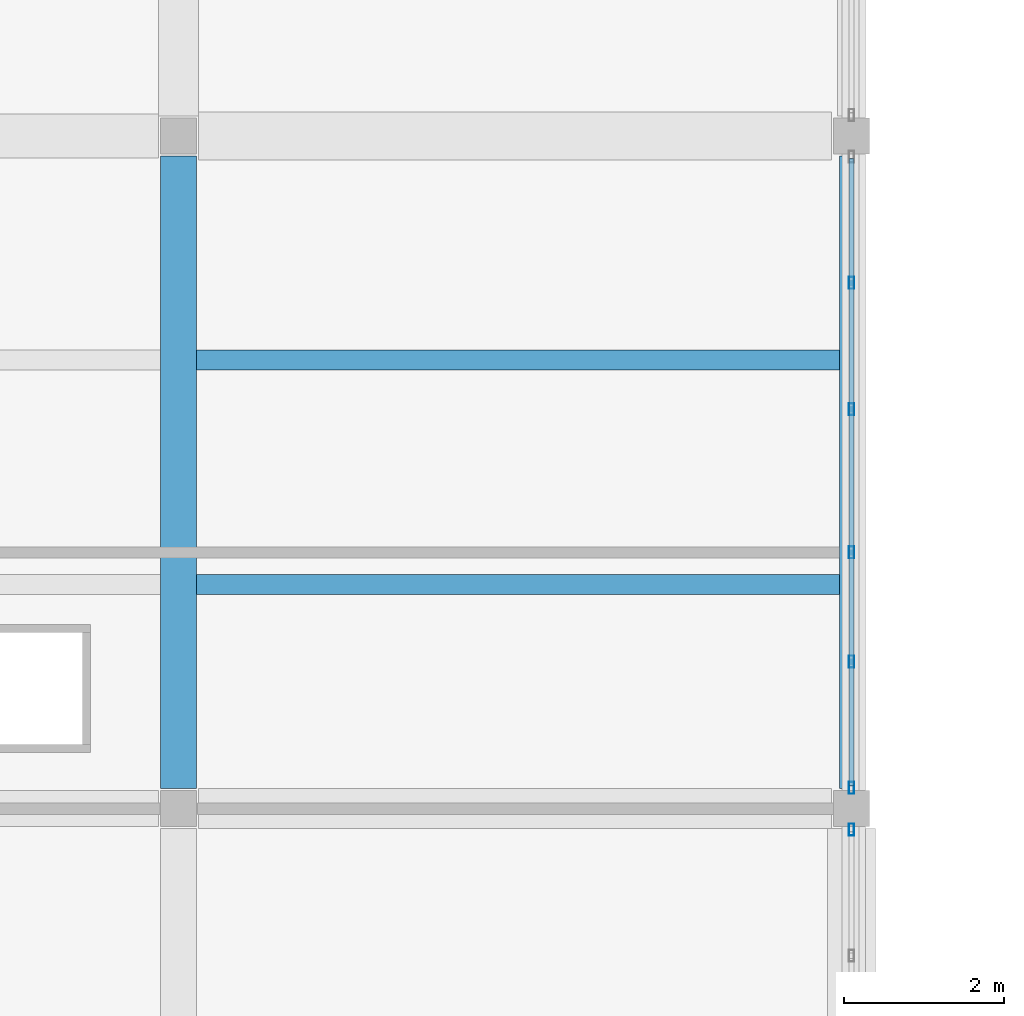
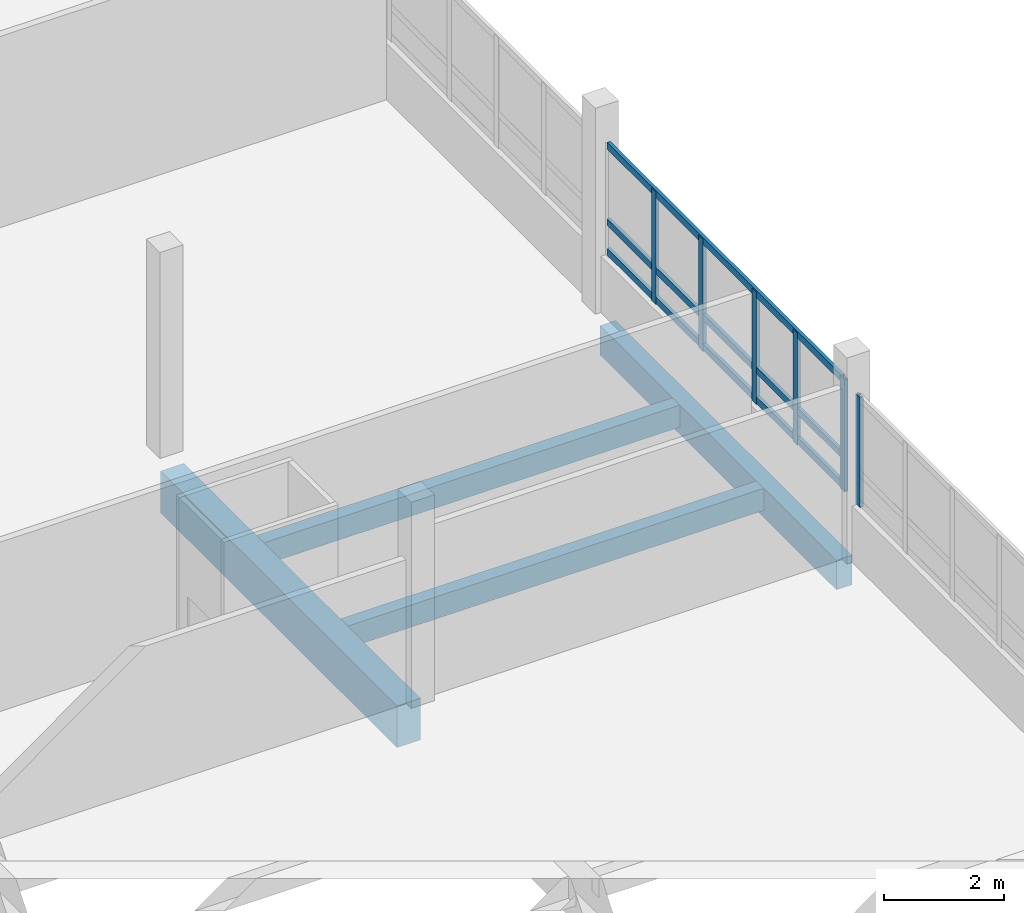
# One storey, part 9 of 62: 9 members, 4 beams, 2 elements without a shape of their own.
"""IFC4 building model written with IfcOpenShell, lengths in metres."""

import ifcopenshell
import ifcopenshell.guid

model = None  # the IFC model being written
_history = None  # IfcOwnerHistory: only IFC2X3 demands one
_inside = {}  # id of a spatial element -> (the spatial element, [elements in it])
_under = {}  # id of a project, library or spatial element -> (it, [spatial elements below it])
_declared = {}  # id of a project -> (the project, [libraries it declares])
_typed = {}  # id of a type object -> (the type object, [elements of that type])
_made_of = {}  # id of a material, layer set ... -> (it, [elements and type objects made of it])


def new_model(schema):
    """Start an empty IFC model of exactly this schema.

    Asked for "IFC4X3", IfcOpenShell would pick the latest addendum, in which some entities
    have other attributes; the version numbers below select the first issue.
    IFC2X3 requires an IfcOwnerHistory on every rooted entity: one is made here for all.
    """
    global model, _history
    if schema == "IFC4X3":
        model = ifcopenshell.file(schema_version=(4, 3, 0, 0))
    else:
        model = ifcopenshell.file(schema=schema)
    _inside.clear()
    _under.clear()
    _declared.clear()
    _typed.clear()
    _made_of.clear()
    _history = None
    if model.schema == "IFC2X3":
        org = make("IfcOrganization", Name="unknown")
        user = make(
            "IfcPersonAndOrganization",
            ThePerson=make("IfcPerson", FamilyName="unknown"),
            TheOrganization=org,
        )
        app = make(
            "IfcApplication",
            ApplicationDeveloper=org,
            Version="unknown",
            ApplicationFullName="unknown",
            ApplicationIdentifier="unknown",
        )
        _history = make(
            "IfcOwnerHistory",
            OwningUser=user,
            OwningApplication=app,
            ChangeAction="ADDED",
            CreationDate=0,
        )
    return model


def make(cls, **values):
    """One entity of the class cls with the attributes given. An attribute that is None is left unset."""
    return model.create_entity(
        cls, **{name: value for name, value in values.items() if value is not None}
    )


def rooted(cls, **values):
    """An entity with a GlobalId (a new one), such as an element, a storey or a relation."""
    return make(cls, GlobalId=ifcopenshell.guid.new(), OwnerHistory=_history, **values)


def si_unit(unit_type, name, prefix=None):
    """IfcSIUnit, for example si_unit("LENGTHUNIT", "METRE", prefix="MILLI")."""
    return make("IfcSIUnit", UnitType=unit_type, Prefix=prefix, Name=name)


def assignment(units):
    """IfcUnitAssignment: the units of a project."""
    return None if units is None else make("IfcUnitAssignment", Units=units)


def point(xyz):
    """IfcCartesianPoint."""
    return None if xyz is None else make("IfcCartesianPoint", Coordinates=xyz)


def direction(xyz):
    """IfcDirection."""
    return None if xyz is None else make("IfcDirection", DirectionRatios=xyz)


def frame(location, z_axis=None, x_axis=None):
    """IfcAxis2Placement3D, a coordinate frame: its origin and axes. An axis left out is left unset."""
    return make(
        "IfcAxis2Placement3D",
        Location=point(location),
        Axis=direction(z_axis),
        RefDirection=direction(x_axis),
    )


def frame_2d(location, x_axis=None):
    """IfcAxis2Placement2D, a coordinate frame in the plane: its origin and x axis."""
    return make(
        "IfcAxis2Placement2D", Location=point(location), RefDirection=direction(x_axis)
    )


def origin():
    """The frame at (0, 0, 0) with its axes left unset."""
    return frame((0.0, 0.0, 0.0))


def origin_2d():
    """The frame at (0, 0) in the plane with its x axis left unset."""
    return frame_2d((0.0, 0.0))


def place(relative_to, where):
    """IfcLocalPlacement: puts the frame where relative to a parent placement (None: the world)."""
    return make(
        "IfcLocalPlacement", PlacementRelTo=relative_to, RelativePlacement=where
    )


def context(
    kind, dimensions, precision=None, world=None, true_north=None, identifier=None
):
    """IfcGeometricRepresentationContext, for example the 3D "Model" context."""
    return make(
        "IfcGeometricRepresentationContext",
        ContextIdentifier=identifier,
        ContextType=kind,
        CoordinateSpaceDimension=dimensions,
        Precision=precision,
        WorldCoordinateSystem=world,
        TrueNorth=true_north,
    )


def subcontext(parent, identifier, kind, view, scale=None):
    """IfcGeometricRepresentationSubContext, for example "Body" below "Model"."""
    return make(
        "IfcGeometricRepresentationSubContext",
        ContextIdentifier=identifier,
        ContextType=kind,
        ParentContext=parent,
        TargetScale=scale,
        TargetView=view,
    )


def project(units=None, contexts=None):
    """IfcProject with its units and contexts."""
    return rooted(
        "IfcProject",
        Name="project",
        RepresentationContexts=contexts,
        UnitsInContext=assignment(units),
    )


def spatial(cls, under=None, at=None, **own):
    """A site, building, storey or space (cls), placed at a placement, below another one or the project."""
    s = rooted(cls, ObjectPlacement=at, **own)
    if under is not None:
        _under.setdefault(under.id(), (under, []))[1].append(s)
    return s


def profile(cls, at=None, kind="AREA", **sizes):
    """A parametric profile (cls). Its sizes go by their IFC names, for example OverallWidth=200.0."""
    return make(cls, ProfileType=kind, Position=at, **sizes)


def rectangle(**sizes):
    """IfcRectangleProfileDef."""
    return profile("IfcRectangleProfileDef", **sizes)


def hollow_rectangle(**sizes):
    """IfcRectangleHollowProfileDef."""
    return profile("IfcRectangleHollowProfileDef", **sizes)


def extrude(swept, where, along, depth):
    """IfcExtrudedAreaSolid: the profile swept, set in the frame where, extruded along a direction by depth."""
    return make(
        "IfcExtrudedAreaSolid",
        SweptArea=swept,
        Position=where,
        ExtrudedDirection=direction(along),
        Depth=depth,
    )


def shape(context_of_items, identifier, shape_type, items):
    """IfcShapeRepresentation: the items that make up one representation, for example the "Body"."""
    return make(
        "IfcShapeRepresentation",
        ContextOfItems=context_of_items,
        RepresentationIdentifier=identifier,
        RepresentationType=shape_type,
        Items=items,
    )


def material(Name=None, Category=None):
    """IfcMaterial."""
    return make("IfcMaterial", Name=Name, Category=Category)


def layer(
    of_material, thickness, ventilated=None, Name=None, Category=None, Priority=None
):
    """IfcMaterialLayer: one layer of a wall or slab, of a material (None: an air gap)."""
    return make(
        "IfcMaterialLayer",
        Material=of_material,
        LayerThickness=thickness,
        IsVentilated=ventilated,
        Name=Name,
        Category=Category,
        Priority=Priority,
    )


def layer_set(layers, Name=None):
    """IfcMaterialLayerSet."""
    return make("IfcMaterialLayerSet", MaterialLayers=layers, LayerSetName=Name)


def material_profile(
    of_material, cross_section, Name=None, Category=None, Priority=None
):
    """IfcMaterialProfile: a cross section and its material."""
    return make(
        "IfcMaterialProfile",
        Name=Name,
        Material=of_material,
        Profile=cross_section,
        Priority=Priority,
        Category=Category,
    )


def profile_set(profiles, Name=None, composite=None):
    """IfcMaterialProfileSet."""
    return make(
        "IfcMaterialProfileSet",
        Name=Name,
        MaterialProfiles=profiles,
        CompositeProfile=composite,
    )


def made_of(thing, what):
    """Note that an element or type object is made of a material, layer set ...; save() writes the relation."""
    if what is not None:
        _made_of.setdefault(what.id(), (what, []))[1].append(thing)
    return thing


def type_object(cls, material=None, **own):
    """A type object (cls), such as IfcWallType, which elements share."""
    return made_of(rooted(cls, **own), material)


def element(
    cls,
    number,
    at=None,
    inside=None,
    cuts=None,
    type_object=None,
    material=None,
    context=None,
    identifier="Body",
    shape_type=None,
    held_by="IfcProductDefinitionShape",
    body=None,
    shapes=None,
    **own,
):
    """One element of the class cls, such as IfcWall. Its Tag is "e" and its number.

    at: its placement. inside: the storey or other place that contains it. cuts: it is an
    opening in that element (IfcRelVoidsElement). A single representation is given by context,
    identifier, shape_type and body (its items); several are given by shapes. held_by: the class
    of the entity that holds the representations. save() writes the other relations.
    """
    e = rooted(cls, Tag="e%d" % number, ObjectPlacement=at, **own)
    if body is not None:
        shapes = [shape(context, identifier, shape_type, body)]
    if shapes is not None:
        e.Representation = make(held_by, Representations=shapes)
    if inside is not None:
        _inside.setdefault(inside.id(), (inside, []))[1].append(e)
    if cuts is not None:
        rooted(
            "IfcRelVoidsElement", RelatingBuildingElement=cuts, RelatedOpeningElement=e
        )
    if type_object is not None:
        _typed.setdefault(type_object.id(), (type_object, []))[1].append(e)
    return made_of(e, material)


def aggregate(whole, parts):
    """IfcRelAggregates: a whole, such as a stair, and the parts it consists of."""
    return rooted("IfcRelAggregates", RelatingObject=whole, RelatedObjects=parts)


def save(model, path):
    """Write the relations noted so far, then the file.

    IfcRelAggregates (storeys below a building ...), IfcRelContainedInSpatialStructure (elements
    in a storey), IfcRelDefinesByType, IfcRelAssociatesMaterial and IfcRelDeclares: one each for
    every whole, place, type object, material and project.
    """
    for whole, parts in _under.values():
        aggregate(whole, parts)
    for where, things in _inside.values():
        rooted(
            "IfcRelContainedInSpatialStructure",
            RelatedElements=things,
            RelatingStructure=where,
        )
    for kind, things in _typed.values():
        rooted("IfcRelDefinesByType", RelatedObjects=things, RelatingType=kind)
    for what, things in _made_of.values():
        rooted("IfcRelAssociatesMaterial", RelatedObjects=things, RelatingMaterial=what)
    for by, libraries in _declared.values():
        rooted("IfcRelDeclares", RelatingContext=by, RelatedDefinitions=libraries)
    model.write(path)


model = new_model("IFC4")

# Units and contexts
model_context = context("Model", 3, precision=1e-05, world=origin(), true_north=direction((0.0, 1.0)))
body_context = subcontext(model_context, "Body", "Model", "MODEL_VIEW")
ifc_project = project(units=[si_unit("LENGTHUNIT", "METRE"), si_unit("AREAUNIT", "SQUARE_METRE"), si_unit("VOLUMEUNIT", "CUBIC_METRE"), si_unit("PLANEANGLEUNIT", "RADIAN"), si_unit("MASSUNIT", "GRAM", prefix="KILO")], contexts=[model_context])

# Site, building, storey
site_placement = place(None, origin())
site = spatial("IfcSite", under=ifc_project, at=site_placement, CompositionType="ELEMENT")
building_placement = place(site_placement, origin())
building = spatial("IfcBuilding", under=site, at=building_placement, Name="Vireocrest Preparatory School", CompositionType="ELEMENT")
storey_placement = place(building_placement, frame((0.0, 0.0, 17.39990234375)))
storey = spatial("IfcBuildingStorey", under=building, at=storey_placement, Name="L04", CompositionType="ELEMENT", Elevation=17.39990234375)

# Curtain wall, member
ifc_material_1 = material(Name="Thermally broken aluminium EN AW-6063-T6", Category="aluminium")
ifc_layer = layer(ifc_material_1, 0.179931640625)
ifc_layer_set = layer_set([ifc_layer], Name="Thermally broken aluminium EN AW-6063-T6")
curtain_wall_type = type_object("IfcCurtainWallType", Name="Court Banded Curtain Wall 8400x3000", PredefinedType="USERDEFINED", material=ifc_layer_set)
curtain_wall_1_placement = place(storey_placement, origin())
curtain_wall_1 = element("IfcCurtainWall", 1, at=curtain_wall_1_placement, inside=storey, type_object=curtain_wall_type, Name="Curtain Wall CW02 CW_L04_CW02_0672_0524_186", ObjectType="CURTAIN WALL", PredefinedType="USERDEFINED")
ifc_material_profile_1 = material_profile(ifc_material_1, hollow_rectangle(XDim=0.06494140625, YDim=0.14990234375, WallThickness=0.00390625, at=origin_2d()), Name="ALU 65x150x4")
ifc_profile_set_1 = profile_set([ifc_material_profile_1], Name="Thermally broken aluminium EN AW-6063-T6")
member_type_1 = type_object("IfcMemberType", Name="CW Mullion 65x150x4", PredefinedType="MULLION", material=ifc_profile_set_1)
member_1_placement = place(storey_placement, frame((67.199951171875, 60.340087890625, 1.150146484375), z_axis=(0.0, 0.0, 1.0), x_axis=(1.0, 0.0, 0.0)))
member_1 = element("IfcMember", 2, at=member_1_placement, type_object=member_type_1, Name="CW Mullion ML1 CW_L04_CW02_0672_0524_186-6", PredefinedType="MULLION", context=body_context, shape_type="SweptSolid", body=[
    extrude(hollow_rectangle(XDim=0.06494140625, YDim=0.14990234375, WallThickness=0.00390625, at=origin_2d()), origin(), (0.0, 0.0, 1.0), 2.244873046875),
])
aggregate(curtain_wall_1, [member_1])

# Curtain wall, members
curtain_wall_2_placement = place(storey_placement, origin())
curtain_wall_2 = element("IfcCurtainWall", 3, at=curtain_wall_2_placement, inside=storey, type_object=curtain_wall_type, Name="Curtain Wall CW02 CW_L04_CW02_0672_0608_186", ObjectType="CURTAIN WALL", PredefinedType="USERDEFINED")
member_2_placement = place(storey_placement, frame((67.199951171875, 60.860107421875, 1.150146484375), z_axis=(0.0, 0.0, 1.0), x_axis=(1.0, 0.0, 0.0)))
member_2 = element("IfcMember", 4, at=member_2_placement, type_object=member_type_1, Name="CW Mullion ML1 CW_L04_CW02_0672_0608_186-1", PredefinedType="MULLION", context=body_context, shape_type="SweptSolid", body=[
    extrude(hollow_rectangle(XDim=0.06494140625, YDim=0.14990234375, WallThickness=0.00390625, at=origin_2d()), origin(), (0.0, 0.0, 1.0), 2.294921875),
])
member_3_placement = place(storey_placement, frame((67.199951171875, 62.43603515625, 1.150146484375), z_axis=(0.0, 0.0, 1.0), x_axis=(1.0, 0.0, 0.0)))
member_3 = element("IfcMember", 5, at=member_3_placement, type_object=member_type_1, Name="CW Mullion ML1 CW_L04_CW02_0672_0608_186-2", PredefinedType="MULLION", context=body_context, shape_type="SweptSolid", body=[
    extrude(hollow_rectangle(XDim=0.06494140625, YDim=0.14990234375, WallThickness=0.00390625, at=origin_2d()), origin(), (0.0, 0.0, 1.0), 2.294921875),
])
member_4_placement = place(storey_placement, frame((67.199951171875, 63.800048828125, 1.150146484375), z_axis=(0.0, 0.0, 1.0), x_axis=(1.0, 0.0, 0.0)))
member_4 = element("IfcMember", 6, at=member_4_placement, type_object=member_type_1, Name="CW Mullion ML1 CW_L04_CW02_0672_0608_186-3", PredefinedType="MULLION", context=body_context, shape_type="SweptSolid", body=[
    extrude(hollow_rectangle(XDim=0.06494140625, YDim=0.14990234375, WallThickness=0.00390625, at=origin_2d()), origin(), (0.0, 0.0, 1.0), 2.294921875),
])
member_5_placement = place(storey_placement, frame((67.199951171875, 65.587890625, 1.150146484375), z_axis=(0.0, 0.0, 1.0), x_axis=(1.0, 0.0, 0.0)))
member_5 = element("IfcMember", 7, at=member_5_placement, type_object=member_type_1, Name="CW Mullion ML1 CW_L04_CW02_0672_0608_186-4", PredefinedType="MULLION", context=body_context, shape_type="SweptSolid", body=[
    extrude(hollow_rectangle(XDim=0.06494140625, YDim=0.14990234375, WallThickness=0.00390625, at=origin_2d()), origin(), (0.0, 0.0, 1.0), 2.294921875),
])
member_6_placement = place(storey_placement, frame((67.199951171875, 67.1640625, 1.150146484375), z_axis=(0.0, 0.0, 1.0), x_axis=(1.0, 0.0, 0.0)))
member_6 = element("IfcMember", 8, at=member_6_placement, type_object=member_type_1, Name="CW Mullion ML1 CW_L04_CW02_0672_0608_186-5", PredefinedType="MULLION", context=body_context, shape_type="SweptSolid", body=[
    extrude(hollow_rectangle(XDim=0.06494140625, YDim=0.14990234375, WallThickness=0.00390625, at=origin_2d()), origin(), (0.0, 0.0, 1.0), 2.294921875),
])
ifc_material_profile_2 = material_profile(ifc_material_1, hollow_rectangle(XDim=0.06494140625, YDim=0.139892578125, WallThickness=0.00390625, at=origin_2d()), Name="ALU 65x140x4")
ifc_profile_set_2 = profile_set([ifc_material_profile_2], Name="Thermally broken aluminium EN AW-6063-T6")
member_type_2 = type_object("IfcMemberType", Name="CW Transom 65x140x4", PredefinedType="USERDEFINED", material=ifc_profile_set_2)
member_7_placement = place(storey_placement, frame((67.199951171875, 60.885009765625, 1.2451171875), z_axis=(0.0, 1.0, 0.0), x_axis=(-1.0, 0.0, 0.0)))
member_7 = element("IfcMember", 9, at=member_7_placement, type_object=member_type_2, Name="CW Transom TR1 CW_L04_CW02_0672_0608_186-1", ObjectType="TRANSOM", PredefinedType="USERDEFINED", context=body_context, shape_type="SweptSolid", body=[
    extrude(hollow_rectangle(XDim=0.06494140625, YDim=0.139892578125, WallThickness=0.00390625, at=origin_2d()), origin(), (0.0, 0.0, 1.0), 7.830078125),
])
member_8_placement = place(storey_placement, frame((67.199951171875, 60.885009765625, 1.85009765625), z_axis=(0.0, 1.0, 0.0), x_axis=(-1.0, 0.0, 0.0)))
member_8 = element("IfcMember", 10, at=member_8_placement, type_object=member_type_2, Name="CW Transom TR1 CW_L04_CW02_0672_0608_186-2", ObjectType="TRANSOM", PredefinedType="USERDEFINED", context=body_context, shape_type="SweptSolid", body=[
    extrude(hollow_rectangle(XDim=0.06494140625, YDim=0.139892578125, WallThickness=0.00390625, at=origin_2d()), origin(), (0.0, 0.0, 1.0), 7.830078125),
])
member_9_placement = place(storey_placement, frame((67.199951171875, 60.885009765625, 3.405029296875), z_axis=(0.0, 1.0, 0.0), x_axis=(-1.0, 0.0, 0.0)))
member_9 = element("IfcMember", 11, at=member_9_placement, type_object=member_type_2, Name="CW Transom TR1 CW_L04_CW02_0672_0608_186-3", ObjectType="TRANSOM", PredefinedType="USERDEFINED", context=body_context, shape_type="SweptSolid", body=[
    extrude(hollow_rectangle(XDim=0.06494140625, YDim=0.139892578125, WallThickness=0.00390625, at=origin_2d()), origin(), (0.0, 0.0, 1.0), 7.830078125),
])
aggregate(curtain_wall_2, [member_2, member_3, member_4, member_5, member_6, member_7, member_8, member_9])

# Beams
ifc_material_2 = material(Name="Concrete 40 MPa", Category="concrete")
ifc_material_profile_3 = material_profile(ifc_material_2, rectangle(XDim=0.300048828125, YDim=0.60009765625, at=origin_2d()), Name="RC 300x600")
ifc_profile_set_3 = profile_set([ifc_material_profile_3], Name="Concrete 40 MPa")
beam_type_1 = type_object("IfcBeamType", Name="RC Classroom Beam 300x600", PredefinedType="BEAM", material=ifc_profile_set_3)
beam_1_placement = place(storey_placement, frame((67.199951171875, 60.85009765625, -0.539794921875), z_axis=(0.0, 1.0, 0.0), x_axis=(-1.0, 0.0, 0.0)))
element("IfcBeam", 12, at=beam_1_placement, inside=storey, type_object=beam_type_1, Name="Primary Girder B03 L04-1382", PredefinedType="BEAM", context=body_context, shape_type="SweptSolid", body=[
    extrude(rectangle(XDim=0.300048828125, YDim=0.60009765625, at=origin_2d()), origin(), (0.0, 0.0, 1.0), 7.89990234375),
])
ifc_material_profile_4 = material_profile(ifc_material_2, rectangle(XDim=0.449951171875, YDim=0.85009765625, at=origin_2d()), Name="RC 450x850")
ifc_profile_set_4 = profile_set([ifc_material_profile_4], Name="Concrete 40 MPa")
beam_type_2 = type_object("IfcBeamType", Name="RC Heavy Floor Girder 450x850", PredefinedType="BEAM", material=ifc_profile_set_4)
beam_2_placement = place(storey_placement, frame((58.800048828125, 60.85009765625, -0.664794921875), z_axis=(0.0, 1.0, 0.0), x_axis=(-1.0, 0.0, 0.0)))
element("IfcBeam", 13, at=beam_2_placement, inside=storey, type_object=beam_type_2, Name="Primary Girder B13 L04-1374", PredefinedType="BEAM", context=body_context, shape_type="SweptSolid", body=[
    extrude(rectangle(XDim=0.449951171875, YDim=0.85009765625, at=origin_2d()), origin(), (0.0, 0.0, 1.0), 7.89990234375),
])
ifc_material_profile_5 = material_profile(ifc_material_2, rectangle(XDim=0.25, YDim=0.449951171875, at=origin_2d()), Name="RC 250x450")
ifc_profile_set_5 = profile_set([ifc_material_profile_5], Name="Concrete 40 MPa")
beam_type_3 = type_object("IfcBeamType", Name="RC Secondary Floor Joist 250x450", PredefinedType="JOIST", material=ifc_profile_set_5)
for number, where, z_axis, x_axis, name in (
    (14, (59.02490234375, 63.39990234375, -0.46484375), (1.0, 0.0, 0.0), (0.0, 1.0, 0.0), "Secondary Joist J01 L04-1459"),
    (15, (59.02490234375, 66.199951171875, -0.46484375), (1.0, 0.0, 0.0), (0.0, 1.0, 0.0), "Secondary Joist J01 L04-1460"),
):
    element("IfcBeam", number, at=place(storey_placement, frame(where, z_axis=z_axis, x_axis=x_axis)), inside=storey, type_object=beam_type_3, Name=name, PredefinedType="JOIST", context=body_context, shape_type="SweptSolid", body=[
        extrude(rectangle(XDim=0.25, YDim=0.449951171875, at=origin_2d()), origin(), (0.0, 0.0, 1.0), 8.025146484375),
    ])

save(model, "model.ifc")
